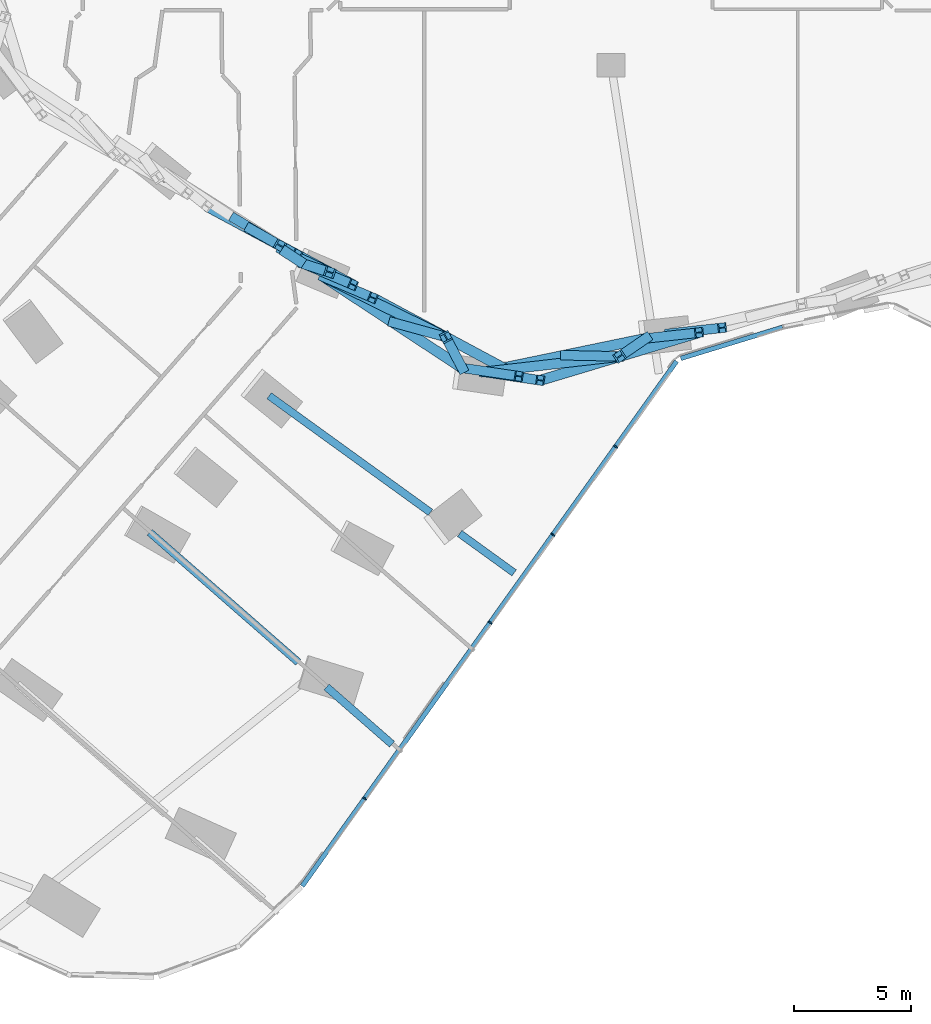
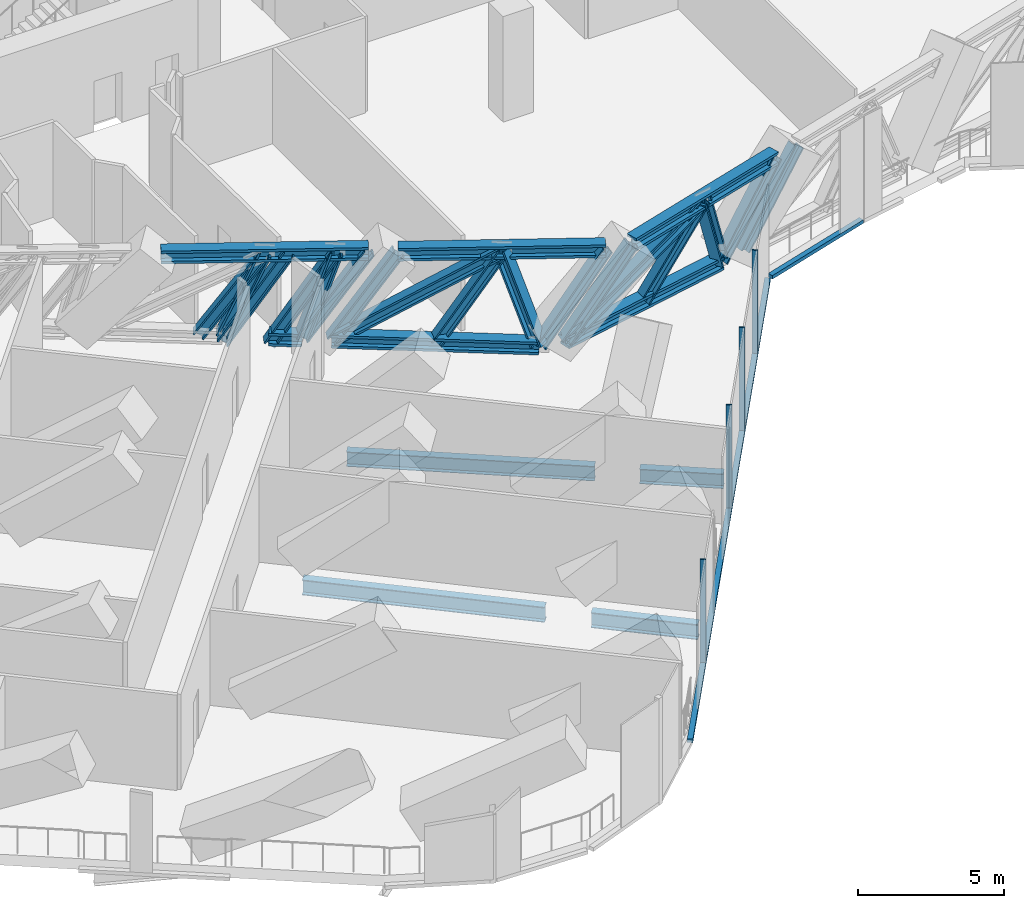
# One storey, part 4 of 34: 29 members, 4 beams, 2 elements without a shape of their own.
"""IFC4 building model written with IfcOpenShell, lengths in metres."""

from ifc_helpers import new_model, si_unit, direction, frame, origin, origin_2d, place, context, subcontext, project, spatial, rectangle, i_section, extrude, material, material_profile, profile_set, type_object, element, aggregate, save


model = new_model("IFC4")

# Units and contexts
model_context = context("Model", 3, precision=1e-05, world=origin(), true_north=direction((0.0, 1.0)))
body_context = subcontext(model_context, "Body", "Model", "MODEL_VIEW")
ifc_project = project(units=[si_unit("LENGTHUNIT", "METRE"), si_unit("AREAUNIT", "SQUARE_METRE"), si_unit("VOLUMEUNIT", "CUBIC_METRE"), si_unit("PLANEANGLEUNIT", "RADIAN"), si_unit("MASSUNIT", "GRAM", prefix="KILO")], contexts=[model_context])

# Site, building, storey
site_placement = place(None, origin())
site = spatial("IfcSite", under=ifc_project, at=site_placement, CompositionType="ELEMENT")
building_placement = place(site_placement, origin())
building = spatial("IfcBuilding", under=site, at=building_placement, Name="Orlundy Tower", CompositionType="ELEMENT")
storey_placement = place(building_placement, frame((0.0, 0.0, 76.300048828125)))
storey = spatial("IfcBuildingStorey", under=building, at=storey_placement, Name="L18", CompositionType="ELEMENT", Elevation=76.300048828125)

# Members
ifc_material_1 = material(Name="Steel ASTM A992 Gr 50", Category="steel")
ifc_material_profile_1 = material_profile(ifc_material_1, i_section(OverallWidth=0.4423828125, OverallDepth=0.531494140625, WebThickness=0.06591796875, FlangeThickness=0.105712890625, at=origin_2d()), Name="W14X605")
ifc_profile_set_1 = profile_set([ifc_material_profile_1], Name="Steel ASTM A992 Gr 50")
member_type_1 = type_object("IfcMemberType", Name="BELT TRUSS chord W14X605", PredefinedType="CHORD", material=ifc_profile_set_1)
member_1_placement = place(storey_placement, frame((-14.113037109375, -25.894775390625, 0.28466796875), z_axis=(0.835954911467, -0.548798128635, 0.0), x_axis=(0.548798128635, 0.835954911467, 0.0)))
element("IfcMember", 1, at=member_1_placement, inside=storey, type_object=member_type_1, Name="Belt truss bottom chord BT-042", PredefinedType="CHORD", context=body_context, shape_type="SweptSolid", body=[
    extrude(i_section(OverallWidth=0.4423828125, OverallDepth=0.531494140625, WebThickness=0.06591796875, FlangeThickness=0.105712890625, at=origin_2d()), origin(), (0.0, 0.0, 1.0), 1.129150390625),
])
member_2_placement = place(storey_placement, frame((-17.319091796875, -24.046142578125, 3.715087890625), z_axis=(0.880924367966, -0.473257073823, 0.0), x_axis=(0.473257073823, 0.880924367966, 0.0)))
element("IfcMember", 2, at=member_2_placement, inside=storey, type_object=member_type_1, Name="Belt truss top chord BT-04", PredefinedType="CHORD", context=body_context, shape_type="SweptSolid", body=[
    extrude(i_section(OverallWidth=0.4423828125, OverallDepth=0.531494140625, WebThickness=0.06591796875, FlangeThickness=0.105712890625, at=origin_2d()), origin(), (0.0, 0.0, 1.0), 7.10205078125),
])
member_3_placement = place(storey_placement, frame((-12.321044921875, -27.07177734375, 0.28466796875), z_axis=(0.835781206873, -0.549062632346, 0.0), x_axis=(0.549062632346, 0.835781206873, 0.0)))
element("IfcMember", 3, at=member_3_placement, inside=storey, type_object=member_type_1, Name="Belt truss bottom chord BT-05", PredefinedType="CHORD", context=body_context, shape_type="SweptSolid", body=[
    extrude(i_section(OverallWidth=0.4423828125, OverallDepth=0.531494140625, WebThickness=0.06591796875, FlangeThickness=0.105712890625, at=origin_2d()), origin(), (0.0, 0.0, 1.0), 7.1015625),
])
member_4_placement = place(storey_placement, frame((-10.21435546875, -27.964599609375, 3.715087890625), z_axis=(0.880865967259, -0.473365765265, 0.0), x_axis=(0.473365765265, 0.880865967259, 0.0)))
element("IfcMember", 4, at=member_4_placement, inside=storey, type_object=member_type_1, Name="Belt truss top chord BT-05", PredefinedType="CHORD", context=body_context, shape_type="SweptSolid", body=[
    extrude(i_section(OverallWidth=0.4423828125, OverallDepth=0.531494140625, WebThickness=0.06591796875, FlangeThickness=0.105712890625, at=origin_2d()), origin(), (0.0, 0.0, 1.0), 7.10205078125),
])
member_5_placement = place(storey_placement, frame((-5.464599609375, -31.146484375, 0.28466796875), z_axis=(0.979210052431, 0.202848892572, 0.0), x_axis=(-0.202848892572, 0.979210052431, 0.0)))
element("IfcMember", 5, at=member_5_placement, inside=storey, type_object=member_type_1, Name="Belt truss bottom chord BT-06", PredefinedType="CHORD", context=body_context, shape_type="SweptSolid", body=[
    extrude(i_section(OverallWidth=0.4423828125, OverallDepth=0.531494140625, WebThickness=0.06591796875, FlangeThickness=0.105712890625, at=origin_2d()), origin(), (0.0, 0.0, 1.0), 7.10107421875),
])
member_6_placement = place(storey_placement, frame((-3.03759765625, -31.502197265625, 3.715087890625), z_axis=(0.957559069357, 0.288237104988, 0.0), x_axis=(-0.288237104988, 0.957559069357, 0.0)))
element("IfcMember", 6, at=member_6_placement, inside=storey, type_object=member_type_1, Name="Belt truss top chord BT-06", PredefinedType="CHORD", context=body_context, shape_type="SweptSolid", body=[
    extrude(i_section(OverallWidth=0.4423828125, OverallDepth=0.531494140625, WebThickness=0.06591796875, FlangeThickness=0.105712890625, at=origin_2d()), origin(), (0.0, 0.0, 1.0), 7.102294921875),
])
ifc_material_2 = material(Name="Steel ASTM A992 Gr 50", Category="steel")
ifc_material_profile_2 = material_profile(ifc_material_2, i_section(OverallWidth=0.42431640625, OverallDepth=0.47412109375, WebThickness=0.0478515625, FlangeThickness=0.0771484375, at=origin_2d()), Name="W14X426")
ifc_profile_set_2 = profile_set([ifc_material_profile_2], Name="Steel ASTM A992 Gr 50")
member_type_2 = type_object("IfcMemberType", Name="BELT TRUSS diagonal W14X426", PredefinedType="BRACE", material=ifc_profile_set_2)
member_7_placement = place(storey_placement, frame((-14.19091796875, -25.726806640625, 3.715087890625), z_axis=(-0.33827229994, 0.190843814041, -0.921493618934), x_axis=(-0.491367168624, -0.870952527753, 0.0)))
element("IfcMember", 7, at=member_7_placement, inside=storey, type_object=member_type_2, Name="Belt truss diagonal BT-04-1", PredefinedType="BRACE", context=body_context, shape_type="SweptSolid", body=[
    extrude(i_section(OverallWidth=0.42431640625, OverallDepth=0.47412109375, WebThickness=0.0478515625, FlangeThickness=0.0771484375, at=origin_2d()), origin(), (0.0, 0.0, 1.0), 3.72265625),
])
member_8_placement = place(storey_placement, frame((-12.057373046875, -26.872802734375, 3.715087890625), z_axis=(-0.306804403925, 0.098899619008, -0.946620263407), x_axis=(-0.306807368296, -0.951771631621, 0.0)))
element("IfcMember", 8, at=member_8_placement, inside=storey, type_object=member_type_2, Name="Belt truss diagonal BT-04-3", PredefinedType="BRACE", context=body_context, shape_type="SweptSolid", body=[
    extrude(i_section(OverallWidth=0.42431640625, OverallDepth=0.47412109375, WebThickness=0.0478515625, FlangeThickness=0.0771484375, at=origin_2d()), origin(), (0.0, 0.0, 1.0), 3.623779296875),
])
member_9_placement = place(storey_placement, frame((-12.321044921875, -27.07177734375, 0.28466796875), z_axis=(0.773544021351, -0.380332124112, 0.506929109837), x_axis=(0.441226833004, 0.897395610552, 0.0)))
element("IfcMember", 9, at=member_9_placement, inside=storey, type_object=member_type_2, Name="Belt truss diagonal BT-05-0", PredefinedType="BRACE", context=body_context, shape_type="SweptSolid", body=[
    extrude(i_section(OverallWidth=0.42431640625, OverallDepth=0.47412109375, WebThickness=0.0478515625, FlangeThickness=0.0771484375, at=origin_2d()), origin(), (0.0, 0.0, 1.0), 6.76708984375),
])
member_10_placement = place(storey_placement, frame((-7.08642578125, -29.6455078125, 3.715087890625), z_axis=(0.187161801077, -0.35404230594, -0.916310267225), x_axis=(0.884068989161, 0.467356419026, 0.0)))
element("IfcMember", 10, at=member_10_placement, inside=storey, type_object=member_type_2, Name="Belt truss diagonal BT-05-1", PredefinedType="BRACE", context=body_context, shape_type="SweptSolid", body=[
    extrude(i_section(OverallWidth=0.42431640625, OverallDepth=0.47412109375, WebThickness=0.0478515625, FlangeThickness=0.0771484375, at=origin_2d()), origin(), (0.0, 0.0, 1.0), 3.74365234375),
])
member_11_placement = place(storey_placement, frame((-5.464599609375, -31.146484375, 0.28466796875), z_axis=(0.857595976993, 0.09830250924, 0.504842308967), x_axis=(-0.113879969612, 0.993494515597, 0.0)))
element("IfcMember", 11, at=member_11_placement, inside=storey, type_object=member_type_2, Name="Belt truss diagonal BT-06-0", PredefinedType="BRACE", context=body_context, shape_type="SweptSolid", body=[
    extrude(i_section(OverallWidth=0.42431640625, OverallDepth=0.47412109375, WebThickness=0.0478515625, FlangeThickness=0.0771484375, at=origin_2d()), origin(), (0.0, 0.0, 1.0), 6.794921875),
])
member_12_placement = place(storey_placement, frame((0.36279296875, -30.478515625, 3.715087890625), z_axis=(0.304961337625, 0.20921458635, -0.929100553983), x_axis=(-0.565709023738, 0.824604935992, 0.0)))
element("IfcMember", 12, at=member_12_placement, inside=storey, type_object=member_type_2, Name="Belt truss diagonal BT-06-1", PredefinedType="BRACE", context=body_context, shape_type="SweptSolid", body=[
    extrude(i_section(OverallWidth=0.42431640625, OverallDepth=0.47412109375, WebThickness=0.0478515625, FlangeThickness=0.0771484375, at=origin_2d()), origin(), (0.0, 0.0, 1.0), 3.692138671875),
])
ifc_material_3 = material(Name="Steel ASTM A992 Gr 50", Category="steel")
ifc_material_profile_3 = material_profile(ifc_material_3, i_section(OverallWidth=0.412109375, OverallDepth=0.434814453125, WebThickness=0.035888671875, FlangeThickness=0.057373046875, at=origin_2d()), Name="W14X311")
ifc_profile_set_3 = profile_set([ifc_material_profile_3], Name="Steel ASTM A992 Gr 50")
member_type_3 = type_object("IfcMemberType", Name="BELT TRUSS post W14X311", PredefinedType="POST", material=ifc_profile_set_3)
member_13_placement = place(storey_placement, frame((-16.136962890625, -24.5654296875, 0.28466796875), z_axis=(0.473328203252, -0.282476761118, 0.83436640119), x_axis=(0.512466478251, 0.858707231057, 0.0)))
element("IfcMember", 13, at=member_13_placement, inside=storey, type_object=member_type_3, Name="Belt truss post BT-04-1", PredefinedType="POST", context=body_context, shape_type="SweptSolid", body=[
    extrude(i_section(OverallWidth=0.412109375, OverallDepth=0.434814453125, WebThickness=0.035888671875, FlangeThickness=0.057373046875, at=origin_2d()), origin(), (0.0, 0.0, 1.0), 4.111328125),
])
member_14_placement = place(storey_placement, frame((-15.4501953125, -25.016357421875, 0.01904296875), z_axis=(0.45735955713, -0.253481807977, 0.852390291197), x_axis=(0.484755880691, 0.874649493303, 0.0)))
element("IfcMember", 14, at=member_14_placement, inside=storey, type_object=member_type_3, Name="Belt truss post BT-04-2", PredefinedType="POST", context=body_context, shape_type="SweptSolid", body=[
    extrude(i_section(OverallWidth=0.412109375, OverallDepth=0.434814453125, WebThickness=0.035888671875, FlangeThickness=0.057373046875, at=origin_2d()), origin(), (0.0, 0.0, 1.0), 4.336181640625),
])
member_15_placement = place(storey_placement, frame((-14.113037109375, -25.894775390625, 0.01904296875), z_axis=(0.473561791886, -0.225307427351, 0.851455103012), x_axis=(0.42962549711, 0.903007160676, 0.0)))
element("IfcMember", 15, at=member_15_placement, inside=storey, type_object=member_type_3, Name="Belt truss post BT-04-3", PredefinedType="POST", context=body_context, shape_type="SweptSolid", body=[
    extrude(i_section(OverallWidth=0.412109375, OverallDepth=0.434814453125, WebThickness=0.035888671875, FlangeThickness=0.057373046875, at=origin_2d()), origin(), (0.0, 0.0, 1.0), 4.3408203125),
])
member_16_placement = place(storey_placement, frame((-13.169189453125, -26.514404296875, 0.28466796875), z_axis=(0.510857615922, -0.216528314955, 0.83194950873), x_axis=(0.390245634168, 0.9207107825, 0.0)))
element("IfcMember", 16, at=member_16_placement, inside=storey, type_object=member_type_3, Name="Belt truss post BT-04-4", PredefinedType="POST", context=body_context, shape_type="SweptSolid", body=[
    extrude(i_section(OverallWidth=0.412109375, OverallDepth=0.434814453125, WebThickness=0.035888671875, FlangeThickness=0.057373046875, at=origin_2d()), origin(), (0.0, 0.0, 1.0), 4.123291015625),
])
member_17_placement = place(storey_placement, frame((-12.321044921875, -27.07177734375, 0.28466796875), z_axis=(0.510901371041, -0.21652176543, 0.831924344014), x_axis=(0.390207295631, 0.920727031447, 0.0)))
element("IfcMember", 17, at=member_17_placement, inside=storey, type_object=member_type_3, Name="Belt truss post BT-05-0", PredefinedType="POST", context=body_context, shape_type="SweptSolid", body=[
    extrude(i_section(OverallWidth=0.412109375, OverallDepth=0.434814453125, WebThickness=0.035888671875, FlangeThickness=0.057373046875, at=origin_2d()), origin(), (0.0, 0.0, 1.0), 4.12353515625),
])
member_18_placement = place(storey_placement, frame((-9.353271484375, -29.021240234375, 0.28466796875), z_axis=(0.545064771567, -0.150105613451, 0.824847076498), x_axis=(0.265506403792, 0.964109096288, 0.0)))
element("IfcMember", 18, at=member_18_placement, inside=storey, type_object=member_type_3, Name="Belt truss post BT-05-1", PredefinedType="POST", context=body_context, shape_type="SweptSolid", body=[
    extrude(i_section(OverallWidth=0.412109375, OverallDepth=0.434814453125, WebThickness=0.035888671875, FlangeThickness=0.057373046875, at=origin_2d()), origin(), (0.0, 0.0, 1.0), 4.158935546875),
])
for number, where, z_axis, x_axis, name in (
    (19, (-6.3857421875, -30.970947265625, 0.28466796875), (0.575544340493, -0.084288127113, 0.81341516076), (0.144903743858, 0.98944575648, 0.0), "Belt truss post BT-05-2"),
    (20, (-5.464599609375, -31.146484375, 0.28466796875), (0.575502815278, -0.084348415839, 0.813438291668), (0.145015453334, 0.989429390252, 0.0), "Belt truss post BT-06-0"),
):
    element("IfcMember", number, at=place(storey_placement, frame(where, z_axis=z_axis, x_axis=x_axis)), inside=storey, type_object=member_type_3, Name=name, PredefinedType="POST", context=body_context, shape_type="SweptSolid", body=[
        extrude(i_section(OverallWidth=0.412109375, OverallDepth=0.434814453125, WebThickness=0.035888671875, FlangeThickness=0.057373046875, at=origin_2d()), origin(), (0.0, 0.0, 1.0), 4.21728515625),
    ])
member_19_placement = place(storey_placement, frame((-1.98779296875, -30.42626953125, 0.28466796875), z_axis=(0.565205330327, -0.012562727533, 0.824854600792), x_axis=(0.022221350033, 0.999753075315, 0.0)))
element("IfcMember", 21, at=member_19_placement, inside=storey, type_object=member_type_3, Name="Belt truss post BT-06-1", PredefinedType="POST", context=body_context, shape_type="SweptSolid", body=[
    extrude(i_section(OverallWidth=0.412109375, OverallDepth=0.434814453125, WebThickness=0.035888671875, FlangeThickness=0.057373046875, at=origin_2d()), origin(), (0.0, 0.0, 1.0), 4.158935546875),
])
for number, where, z_axis, x_axis, name in (
    (22, (1.48876953125, -29.7060546875, 0.28466796875), (0.551565939214, 0.060864081742, 0.831907794321), (-0.109682030297, 0.993966725917, 0.0), "Belt truss post BT-06-2"),
    (23, (2.482666015625, -29.500244140625, 0.28466796875), (0.551565939214, 0.060864081742, 0.831907794321), (-0.109682030297, 0.993966725917, 0.0), "Belt truss post BT-07-0"),
):
    element("IfcMember", number, at=place(storey_placement, frame(where, z_axis=z_axis, x_axis=x_axis)), inside=storey, type_object=member_type_3, Name=name, PredefinedType="POST", context=body_context, shape_type="SweptSolid", body=[
        extrude(i_section(OverallWidth=0.412109375, OverallDepth=0.434814453125, WebThickness=0.035888671875, FlangeThickness=0.057373046875, at=origin_2d()), origin(), (0.0, 0.0, 1.0), 4.12353515625),
    ])

# Beams
ifc_material_4 = material(Name="Steel ASTM A992 Gr 50", Category="steel")
ifc_material_profile_4 = material_profile(ifc_material_4, i_section(OverallWidth=0.32373046875, OverallDepth=0.611083984375, WebThickness=0.0126953125, FlangeThickness=0.01904296875, at=origin_2d()), Name="W24X104")
ifc_profile_set_4 = profile_set([ifc_material_profile_4], Name="Steel ASTM A992 Gr 50")
beam_type_1 = type_object("IfcBeamType", Name="CANTILEVER GIRDER beam W24X104", PredefinedType="BEAM", material=ifc_profile_set_4)
beam_1_placement = place(storey_placement, frame((-4.1572265625, -39.752197265625, -0.755615234375), z_axis=(-0.810411014602, 0.585861747695, 0.0), x_axis=(-0.585861747695, -0.810411014602, 0.0)))
element("IfcBeam", 24, at=beam_1_placement, inside=storey, type_object=beam_type_1, Name="Cantilever girder C-B5-1 L18", PredefinedType="BEAM", context=body_context, shape_type="SweptSolid", body=[
    extrude(i_section(OverallWidth=0.32373046875, OverallDepth=0.611083984375, WebThickness=0.0126953125, FlangeThickness=0.01904296875, at=origin_2d()), origin(), (0.0, 0.0, 1.0), 2.881103515625),
])
beam_2_placement = place(storey_placement, frame((-7.74365234375, -37.15966796875, -0.755615234375), z_axis=(-0.810444436006, 0.585815513747, 0.0), x_axis=(-0.585815513747, -0.810444436006, 0.0)))
element("IfcBeam", 25, at=beam_2_placement, inside=storey, type_object=beam_type_1, Name="Back-span girder C-B5-1 L18", PredefinedType="BEAM", context=body_context, shape_type="SweptSolid", body=[
    extrude(i_section(OverallWidth=0.32373046875, OverallDepth=0.611083984375, WebThickness=0.0126953125, FlangeThickness=0.01904296875, at=origin_2d()), origin(), (0.0, 0.0, 1.0), 8.52978515625),
])
ifc_material_5 = material(Name="Steel ASTM A992 Gr 50", Category="steel")
ifc_material_profile_5 = material_profile(ifc_material_5, i_section(OverallWidth=0.3291015625, OverallDepth=0.635009765625, WebThickness=0.017822265625, FlangeThickness=0.031005859375, at=origin_2d()), Name="W24X162")
ifc_profile_set_5 = profile_set([ifc_material_profile_5], Name="Steel ASTM A992 Gr 50")
beam_type_2 = type_object("IfcBeamType", Name="CANTILEVER GIRDER beam W24X162", PredefinedType="BEAM", material=ifc_profile_set_5)
beam_3_placement = place(storey_placement, frame((-9.3916015625, -47.093017578125, -0.767578125), z_axis=(-0.752832542904, 0.658212095259, 0.0), x_axis=(-0.658212095259, -0.752832542904, 0.0)))
element("IfcBeam", 26, at=beam_3_placement, inside=storey, type_object=beam_type_2, Name="Cantilever girder C-B5-2 L18", PredefinedType="BEAM", context=body_context, shape_type="SweptSolid", body=[
    extrude(i_section(OverallWidth=0.3291015625, OverallDepth=0.635009765625, WebThickness=0.017822265625, FlangeThickness=0.031005859375, at=origin_2d()), origin(), (0.0, 0.0, 1.0), 3.72314453125),
])
beam_4_placement = place(storey_placement, frame((-13.407470703125, -43.581787109375, -0.767578125), z_axis=(-0.752784167971, 0.658267420166, 0.0), x_axis=(-0.658267420166, -0.752784167971, 0.0)))
element("IfcBeam", 27, at=beam_4_placement, inside=storey, type_object=beam_type_2, Name="Back-span girder C-B5-2 L18", PredefinedType="BEAM", context=body_context, shape_type="SweptSolid", body=[
    extrude(i_section(OverallWidth=0.3291015625, OverallDepth=0.635009765625, WebThickness=0.017822265625, FlangeThickness=0.031005859375, at=origin_2d()), origin(), (0.0, 0.0, 1.0), 8.454345703125),
])

# Curtain wall, members
ifc_material_6 = material(Name="Aluminium bronze anodised", Category="aluminium")
curtain_wall_type = type_object("IfcCurtainWallType", Name="CW4 wall", PredefinedType="NOTDEFINED", material=ifc_material_6)
curtain_wall_1_placement = place(storey_placement, origin())
curtain_wall_1 = element("IfcCurtainWall", 28, at=curtain_wall_1_placement, inside=storey, type_object=curtain_wall_type, Name="CW4 run 030", PredefinedType="NOTDEFINED")
ifc_material_7 = material(Name="Aluminium bronze anodised", Category="aluminium")
ifc_material_profile_6 = material_profile(ifc_material_7, rectangle(XDim=0.199951171875, YDim=0.06005859375, at=origin_2d()), Name="CW4 mullion 60x200")
ifc_profile_set_6 = profile_set([ifc_material_profile_6], Name="Aluminium bronze anodised")
member_type_4 = type_object("IfcMemberType", Name="CW4 mullion 60x200", PredefinedType="MULLION", material=ifc_profile_set_6)
member_20_placement = place(storey_placement, frame((0.193359375, -34.342041015625, -0.449951171875), z_axis=(0.0, 0.0, 1.0), x_axis=(0.814110230009, -0.580710369629, 0.0)))
member_20 = element("IfcMember", 29, at=member_20_placement, type_object=member_type_4, Name="CW4 mullion 51", PredefinedType="MULLION", context=body_context, shape_type="SweptSolid", body=[
    extrude(rectangle(XDim=0.199951171875, YDim=0.06005859375, at=origin_2d()), origin(), (0.0, 0.0, 1.0), 4.449951171875),
])
member_21_placement = place(storey_placement, frame((-2.495849609375, -38.112060546875, -0.449951171875), z_axis=(0.0, 0.0, 1.0), x_axis=(0.814110230009, -0.580710369629, 0.0)))
member_21 = element("IfcMember", 30, at=member_21_placement, type_object=member_type_4, Name="CW4 mullion 52", PredefinedType="MULLION", context=body_context, shape_type="SweptSolid", body=[
    extrude(rectangle(XDim=0.199951171875, YDim=0.06005859375, at=origin_2d()), origin(), (0.0, 0.0, 1.0), 4.449951171875),
])
member_22_placement = place(storey_placement, frame((-5.18505859375, -41.882080078125, -0.449951171875), z_axis=(0.0, 0.0, 1.0), x_axis=(0.814110230009, -0.580710369629, 0.0)))
member_22 = element("IfcMember", 31, at=member_22_placement, type_object=member_type_4, Name="CW4 mullion 53", PredefinedType="MULLION", context=body_context, shape_type="SweptSolid", body=[
    extrude(rectangle(XDim=0.199951171875, YDim=0.06005859375, at=origin_2d()), origin(), (0.0, 0.0, 1.0), 4.449951171875),
])
member_23_placement = place(storey_placement, frame((-10.5634765625, -49.422119140625, -0.449951171875), z_axis=(0.0, 0.0, 1.0), x_axis=(0.814110230009, -0.580710369629, 0.0)))
member_23 = element("IfcMember", 32, at=member_23_placement, type_object=member_type_4, Name="CW4 mullion 55", PredefinedType="MULLION", context=body_context, shape_type="SweptSolid", body=[
    extrude(rectangle(XDim=0.199951171875, YDim=0.06005859375, at=origin_2d()), origin(), (0.0, 0.0, 1.0), 4.449951171875),
])

# Curtain wall, member
curtain_wall_2_placement = place(storey_placement, origin())
curtain_wall_2 = element("IfcCurtainWall", 33, at=curtain_wall_2_placement, inside=storey, type_object=curtain_wall_type, Name="CW4 run 029", PredefinedType="NOTDEFINED")
ifc_material_8 = material(Name="Aluminium bronze anodised", Category="aluminium")
ifc_material_profile_7 = material_profile(ifc_material_8, rectangle(XDim=0.199951171875, YDim=0.14990234375, at=origin_2d()), Name="CW4 transom 200x150")
ifc_profile_set_7 = profile_set([ifc_material_profile_7], Name="Aluminium bronze anodised")
member_type_5 = type_object("IfcMemberType", Name="CW4 transom 200x150", PredefinedType="USERDEFINED", material=ifc_profile_set_7)
member_24_placement = place(storey_placement, frame((7.345703125, -29.228759765625, -0.375), z_axis=(-0.956291311309, -0.29241567659, 0.0), x_axis=(0.29241567659, -0.956291311309, 0.0)))
member_24 = element("IfcMember", 34, at=member_24_placement, type_object=member_type_5, Name="CW4 transom", ObjectType="TRANSOM", PredefinedType="USERDEFINED", context=body_context, shape_type="SweptSolid", body=[
    extrude(rectangle(XDim=0.199951171875, YDim=0.14990234375, at=origin_2d()), origin(), (0.0, 0.0, 1.0), 4.56201171875),
])
aggregate(curtain_wall_2, [member_24])

# Member
member_25_placement = place(storey_placement, frame((2.8046875, -30.68115234375, -0.375), z_axis=(-0.580710666069, -0.814110018557, 0.0), x_axis=(0.814110018557, -0.580710666069, 0.0)))
member_25 = element("IfcMember", 35, at=member_25_placement, type_object=member_type_5, Name="CW4 transom", ObjectType="TRANSOM", PredefinedType="USERDEFINED", context=body_context, shape_type="SweptSolid", body=[
    extrude(rectangle(XDim=0.199951171875, YDim=0.14990234375, at=origin_2d()), origin(), (0.0, 0.0, 1.0), 27.630615234375),
])

aggregate(curtain_wall_1, [member_20, member_21, member_22, member_23, member_25])

save(model, "model.ifc")
